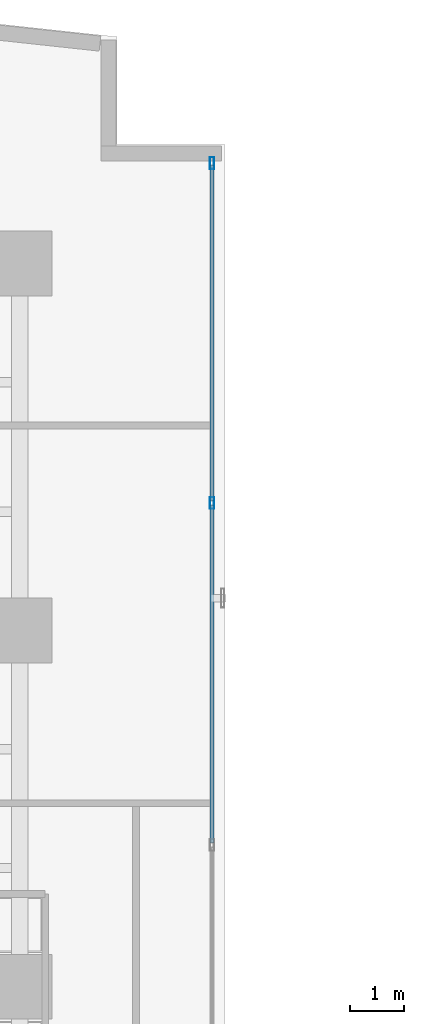
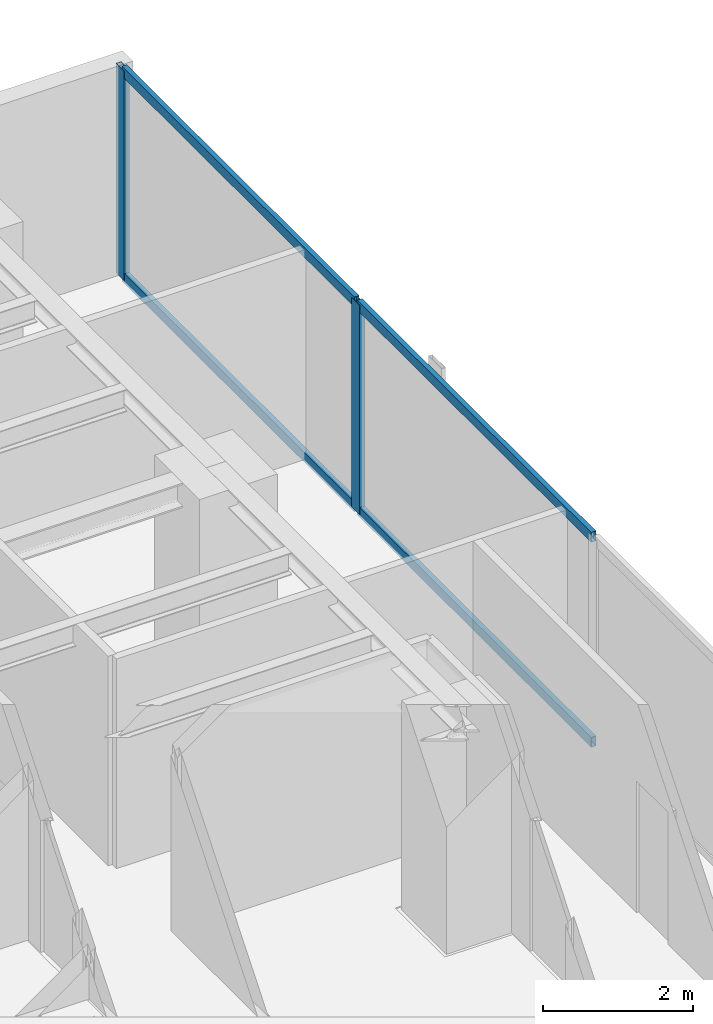
# One storey, part 17 of 26: 6 members, 1 element without a shape of its own.
"""IFC4 building model written with IfcOpenShell, lengths in metres."""

from ifc_helpers import new_model, si_unit, direction, frame, origin, origin_with_axes, origin_2d, place, context, subcontext, project, spatial, hollow_rectangle, extrude, source, transform, mapped, material, layer, layer_set, material_profile, profile_set, type_object, element, aggregate, save


model = new_model("IFC4")

# Units and contexts
model_context = context("Model", 3, precision=1e-05, world=origin(), true_north=direction((0.0, 1.0)))
body_context = subcontext(model_context, "Body", "Model", "MODEL_VIEW")
ifc_project = project(units=[si_unit("LENGTHUNIT", "METRE"), si_unit("AREAUNIT", "SQUARE_METRE"), si_unit("VOLUMEUNIT", "CUBIC_METRE"), si_unit("PLANEANGLEUNIT", "RADIAN"), si_unit("MASSUNIT", "GRAM", prefix="KILO")], contexts=[model_context])

# Site, building, storey
site_placement = place(None, origin())
site = spatial("IfcSite", under=ifc_project, at=site_placement, CompositionType="ELEMENT")
building_placement = place(site_placement, origin())
building = spatial("IfcBuilding", under=site, at=building_placement, Name="Kolvaren Waterfront Exchange", CompositionType="ELEMENT")
storey_placement = place(building_placement, frame((0.0, 0.0, 195.60009765625)))
storey = spatial("IfcBuildingStorey", under=building, at=storey_placement, Name="L50", CompositionType="ELEMENT", Elevation=195.60009765625)

# Curtain wall, members
ifc_material_1 = material(Name="Anodised bronze aluminium 6063-T6", Category="aluminium")
ifc_layer = layer(ifc_material_1, 0.219970703125, Name="Anodised bronze aluminium 6063-T6")
ifc_layer_set = layer_set([ifc_layer], Name="Anodised bronze aluminium 6063-T6")
curtain_wall_type = type_object("IfcCurtainWallType", Name="ARC-CW-SYS1", PredefinedType="USERDEFINED", material=ifc_layer_set)
curtain_wall_placement = place(storey_placement, origin())
curtain_wall = element("IfcCurtainWall", 1, at=curtain_wall_placement, inside=storey, type_object=curtain_wall_type, Name="L50 stick curtain wall CW1 (CW-L50-NE)", ObjectType="STICK CURTAIN WALL", PredefinedType="USERDEFINED")
ifc_material_2 = material(Name="Anodised aluminium 6063-T6", Category="aluminium")
ifc_material_profile_1 = material_profile(ifc_material_2, hollow_rectangle(XDim=0.080078125, YDim=0.219970703125, WallThickness=0.0048828125, at=origin_2d()), Name="ALU-MUL-220x80x5")
ifc_profile_set_1 = profile_set([ifc_material_profile_1], Name="Anodised aluminium 6063-T6")
member_type_1 = type_object("IfcMemberType", Name="ARC-CWM-220", PredefinedType="MULLION", material=ifc_profile_set_1)
shared_shape_1 = source(origin_with_axes(), body_context, "Body", "SweptSolid", [
    extrude(hollow_rectangle(XDim=0.080078125, YDim=0.219970703125, WallThickness=0.0048828125, at=origin_2d()), origin(), (0.0, 0.0, 1.0), 3.419921875),
])
member_1_placement = place(storey_placement, frame((22.360107421875, 40.163330078125, 0.0), z_axis=(0.0, 0.0, 1.0), x_axis=(-1.0, 0.0, 0.0)))
member_1 = element("IfcMember", 2, at=member_1_placement, type_object=member_type_1, Name="CW1 mullion 3", PredefinedType="MULLION", context=body_context, shape_type="MappedRepresentation", body=[
    mapped(shared_shape_1, transform((0.0, 0.0, 0.0), x_axis=(1.0, 0.0, 0.0), y_axis=(0.0, 1.0, 0.0), z_axis=(0.0, 0.0, 1.0), scale=1.0)),
])
member_2_placement = place(storey_placement, frame((22.360107421875, 46.4599609375, 0.0), z_axis=(0.0, 0.0, 1.0), x_axis=(-1.0, 0.0, 0.0)))
member_2 = element("IfcMember", 3, at=member_2_placement, type_object=member_type_1, Name="CW1 mullion 4", PredefinedType="MULLION", context=body_context, shape_type="MappedRepresentation", body=[
    mapped(shared_shape_1, transform((0.0, 0.0, 0.0), x_axis=(1.0, 0.0, 0.0), y_axis=(0.0, 1.0, 0.0), z_axis=(0.0, 0.0, 1.0), scale=1.0)),
])
ifc_material_profile_2 = material_profile(ifc_material_2, hollow_rectangle(XDim=0.074951171875, YDim=0.159912109375, WallThickness=0.00439453125, at=origin_2d()), Name="ALU-TRN-160x75x4.5")
ifc_profile_set_2 = profile_set([ifc_material_profile_2], Name="Anodised aluminium 6063-T6")
member_type_2 = type_object("IfcMemberType", Name="ARC-CWT-160", PredefinedType="USERDEFINED", material=ifc_profile_set_2)
shared_shape_2 = source(origin_with_axes(), body_context, "Body", "SweptSolid", [
    extrude(hollow_rectangle(XDim=0.074951171875, YDim=0.159912109375, WallThickness=0.00439453125, at=origin_2d()), origin(), (0.0, 0.0, 1.0), 6.216552734375),
])
member_3_placement = place(storey_placement, frame((22.360107421875, 40.203369140625, 0.037353515625), z_axis=(0.0, 1.0, 0.0), x_axis=(-1.0, 0.0, 0.0)))
member_3 = element("IfcMember", 4, at=member_3_placement, type_object=member_type_2, Name="CW1 transom 3.1", ObjectType="TRANSOM", PredefinedType="USERDEFINED", context=body_context, shape_type="MappedRepresentation", body=[
    mapped(shared_shape_2, transform((0.0, 0.0, 0.0), x_axis=(1.0, 0.0, 0.0), y_axis=(0.0, 1.0, 0.0), z_axis=(0.0, 0.0, 1.0), scale=1.0)),
])
member_4_placement = place(storey_placement, frame((22.360107421875, 40.203369140625, 3.38232421875), z_axis=(0.0, 1.0, 0.0), x_axis=(-1.0, 0.0, 0.0)))
member_4 = element("IfcMember", 5, at=member_4_placement, type_object=member_type_2, Name="CW1 transom 3.2", ObjectType="TRANSOM", PredefinedType="USERDEFINED", context=body_context, shape_type="MappedRepresentation", body=[
    mapped(shared_shape_2, transform((0.0, 0.0, 0.0), x_axis=(1.0, 0.0, 0.0), y_axis=(0.0, 1.0, 0.0), z_axis=(0.0, 0.0, 1.0), scale=1.0)),
])
shared_shape_3 = source(origin_with_axes(), body_context, "Body", "SweptSolid", [
    extrude(hollow_rectangle(XDim=0.074951171875, YDim=0.159912109375, WallThickness=0.00439453125, at=origin_2d()), origin(), (0.0, 0.0, 1.0), 6.256591796875),
])
member_5_placement = place(storey_placement, frame((22.360107421875, 33.86669921875, 0.037353515625), z_axis=(0.0, 1.0, 0.0), x_axis=(-1.0, 0.0, 0.0)))
member_5 = element("IfcMember", 6, at=member_5_placement, type_object=member_type_2, Name="CW1 transom 2.1", ObjectType="TRANSOM", PredefinedType="USERDEFINED", context=body_context, shape_type="MappedRepresentation", body=[
    mapped(shared_shape_3, transform((0.0, 0.0, 0.0), x_axis=(1.0, 0.0, 0.0), y_axis=(0.0, 1.0, 0.0), z_axis=(0.0, 0.0, 1.0), scale=1.0)),
])
member_6_placement = place(storey_placement, frame((22.360107421875, 33.86669921875, 3.38232421875), z_axis=(0.0, 1.0, 0.0), x_axis=(-1.0, 0.0, 0.0)))
member_6 = element("IfcMember", 7, at=member_6_placement, type_object=member_type_2, Name="CW1 transom 2.2", ObjectType="TRANSOM", PredefinedType="USERDEFINED", context=body_context, shape_type="MappedRepresentation", body=[
    mapped(shared_shape_3, transform((0.0, 0.0, 0.0), x_axis=(1.0, 0.0, 0.0), y_axis=(0.0, 1.0, 0.0), z_axis=(0.0, 0.0, 1.0), scale=1.0)),
])
aggregate(curtain_wall, [member_1, member_2, member_5, member_6, member_3, member_4])

save(model, "model.ifc")
